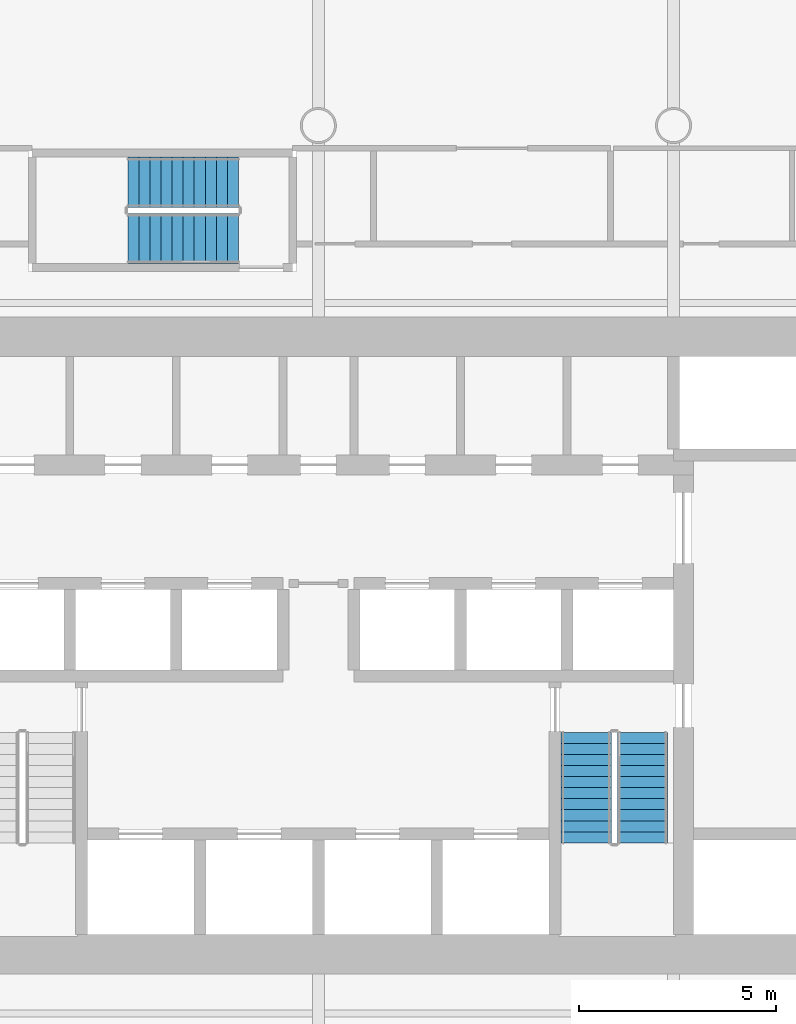
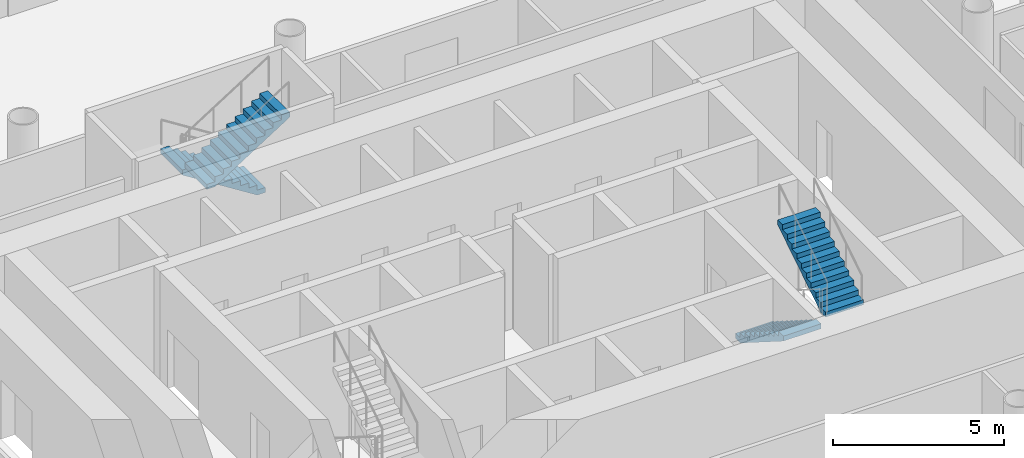
# One storey, part 20 of 25: 4 stair flights, 2 elements without a shape of their own.
"""IFC4 building model written with IfcOpenShell, lengths in metres."""

from ifc_helpers import new_model, si_unit, direction, frame, origin, place, context, subcontext, project, spatial, polyline, outline, extrude, material, type_object, element, aggregate, save


model = new_model("IFC4")

# Units and contexts
model_context = context("Model", 3, precision=1e-05, world=origin(), true_north=direction((0.0, 1.0)))
body_context = subcontext(model_context, "Body", "Model", "MODEL_VIEW")
ifc_project = project(units=[si_unit("LENGTHUNIT", "METRE"), si_unit("AREAUNIT", "SQUARE_METRE"), si_unit("VOLUMEUNIT", "CUBIC_METRE"), si_unit("PLANEANGLEUNIT", "RADIAN"), si_unit("MASSUNIT", "GRAM", prefix="KILO")], contexts=[model_context])

# Site, building, storey
site_placement = place(None, origin())
site = spatial("IfcSite", under=ifc_project, at=site_placement, CompositionType="ELEMENT")
building_placement = place(site_placement, origin())
building = spatial("IfcBuilding", under=site, at=building_placement, Name="Tskaro Facet Tower", CompositionType="ELEMENT")
storey_placement = place(building_placement, frame((0.0, 0.0, 34.199951171875)))
storey = spatial("IfcBuildingStorey", under=building, at=storey_placement, Name="L07", CompositionType="ELEMENT", Elevation=34.199951171875)

# Stair, stair flights
ifc_material = material(Name="Concrete C40/50", Category="concrete")
stair_type = type_object("IfcStairType", Name="ST-TWR", PredefinedType="HALF_TURN_STAIR", material=ifc_material)
stair_1_placement = place(storey_placement, origin())
stair_1 = element("IfcStair", 1, at=stair_1_placement, inside=storey, type_object=stair_type, Name="L07 Exit stair 2", PredefinedType="HALF_TURN_STAIR")
stair_flight_type = type_object("IfcStairFlightType", Name="SFL-RC", PredefinedType="STRAIGHT", material=ifc_material)
stair_flight_1_placement = place(storey_placement, frame((6.78759765625, -6.375, 0.0), z_axis=(0.0, 0.0, 1.0), x_axis=(0.0, -1.0, 0.0)))
stair_flight_1 = element("IfcStairFlight", 2, at=stair_flight_1_placement, type_object=stair_flight_type, Name="ST-2 flight 1", NumberOfRisers=11, NumberOfTreads=10, PredefinedType="STRAIGHT", RiserHeight=0.177272727, TreadLength=0.28, context=body_context, shape_type="SweptSolid", body=[
    extrude(outline(polyline([(0.0, 0.0), (0.0, 0.17724609375), (0.280029296875, 0.17724609375), (0.280029296875, 0.3544921875), (0.56005859375, 0.3544921875), (0.56005859375, 0.53173828125), (0.840087890625, 0.53173828125), (0.840087890625, 0.708984375), (1.1201171875, 0.708984375), (1.1201171875, 0.886474609375), (1.39990234375, 0.886474609375), (1.39990234375, 1.063720703125), (1.679931640625, 1.063720703125), (1.679931640625, 1.240966796875), (1.9599609375, 1.240966796875), (1.9599609375, 1.418212890625), (2.239990234375, 1.418212890625), (2.239990234375, 1.595458984375), (2.52001953125, 1.595458984375), (2.52001953125, 1.772705078125), (2.800048828125, 1.772705078125), (2.800048828125, 1.949951171875), (2.800048828125, 1.59521484375), (0.2802734375, 0.0), (0.0, 0.0)])), frame((0.0, 0.637451171875, 0.0), z_axis=(0.0, -1.0, 0.0), x_axis=(1.0, 0.0, 0.0)), (0.0, 0.0, 1.0), 1.27490234375),
])
stair_flight_2_placement = place(storey_placement, frame((8.21240234375, -9.175048828125, 1.949951171875), z_axis=(0.0, 0.0, 1.0), x_axis=(0.0, 1.0, 0.0)))
stair_flight_2 = element("IfcStairFlight", 3, at=stair_flight_2_placement, type_object=stair_flight_type, Name="ST-2 flight 2", NumberOfRisers=11, NumberOfTreads=10, PredefinedType="STRAIGHT", RiserHeight=0.177272727, TreadLength=0.28, context=body_context, shape_type="SweptSolid", body=[
    extrude(outline(polyline([(0.0, 0.0), (0.0, 0.17724609375), (0.280029296875, 0.17724609375), (0.280029296875, 0.3544921875), (0.56005859375, 0.3544921875), (0.56005859375, 0.53173828125), (0.840087890625, 0.53173828125), (0.840087890625, 0.708984375), (1.1201171875, 0.708984375), (1.1201171875, 0.886474609375), (1.39990234375, 0.886474609375), (1.39990234375, 1.063720703125), (1.679931640625, 1.063720703125), (1.679931640625, 1.240966796875), (1.9599609375, 1.240966796875), (1.9599609375, 1.418212890625), (2.239990234375, 1.418212890625), (2.239990234375, 1.595458984375), (2.52001953125, 1.595458984375), (2.52001953125, 1.772705078125), (2.800048828125, 1.772705078125), (2.800048828125, 1.949951171875), (2.800048828125, 1.59521484375), (0.2802734375, 0.0), (0.0, 0.0)])), frame((0.0, 0.637451171875, 0.0), z_axis=(0.0, -1.0, 0.0), x_axis=(1.0, 0.0, 0.0)), (0.0, 0.0, 1.0), 1.27490234375),
])
aggregate(stair_1, [stair_flight_1, stair_flight_2])

stair_2_placement = place(storey_placement, origin())
stair_2 = element("IfcStair", 4, at=stair_2_placement, inside=storey, type_object=stair_type, Name="L07 Exit stair 3", PredefinedType="HALF_TURN_STAIR")
stair_flight_3_placement = place(storey_placement, frame((-2.02490234375, 7.5625, 0.0), z_axis=(0.0, 0.0, 1.0), x_axis=(-1.0, 0.0, 0.0)))
stair_flight_3 = element("IfcStairFlight", 5, at=stair_flight_3_placement, type_object=stair_flight_type, Name="ST-3 flight 1", NumberOfRisers=11, NumberOfTreads=10, PredefinedType="STRAIGHT", RiserHeight=0.177272727, TreadLength=0.28, context=body_context, shape_type="SweptSolid", body=[
    extrude(outline(polyline([(0.0, 0.0), (0.0, 0.17724609375), (0.280029296875, 0.17724609375), (0.280029296875, 0.3544921875), (0.56005859375, 0.3544921875), (0.56005859375, 0.53173828125), (0.840087890625, 0.53173828125), (0.840087890625, 0.708984375), (1.1201171875, 0.708984375), (1.1201171875, 0.886474609375), (1.39990234375, 0.886474609375), (1.39990234375, 1.063720703125), (1.679931640625, 1.063720703125), (1.679931640625, 1.240966796875), (1.9599609375, 1.240966796875), (1.9599609375, 1.418212890625), (2.239990234375, 1.418212890625), (2.239990234375, 1.595458984375), (2.52001953125, 1.595458984375), (2.52001953125, 1.772705078125), (2.800048828125, 1.772705078125), (2.800048828125, 1.949951171875), (2.800048828125, 1.59521484375), (0.2802734375, 0.0), (0.0, 0.0)])), frame((0.0, 0.637451171875, 0.0), z_axis=(0.0, -1.0, 0.0), x_axis=(1.0, 0.0, 0.0)), (0.0, 0.0, 1.0), 1.27490234375),
])
stair_flight_4_placement = place(storey_placement, frame((-4.824951171875, 6.137451171875, 1.949951171875), z_axis=(0.0, 0.0, 1.0), x_axis=(1.0, 0.0, 0.0)))
stair_flight_4 = element("IfcStairFlight", 6, at=stair_flight_4_placement, type_object=stair_flight_type, Name="ST-3 flight 2", NumberOfRisers=11, NumberOfTreads=10, PredefinedType="STRAIGHT", RiserHeight=0.177272727, TreadLength=0.28, context=body_context, shape_type="SweptSolid", body=[
    extrude(outline(polyline([(0.0, 0.0), (0.0, 0.17724609375), (0.280029296875, 0.17724609375), (0.280029296875, 0.3544921875), (0.56005859375, 0.3544921875), (0.56005859375, 0.53173828125), (0.840087890625, 0.53173828125), (0.840087890625, 0.708984375), (1.1201171875, 0.708984375), (1.1201171875, 0.886474609375), (1.39990234375, 0.886474609375), (1.39990234375, 1.063720703125), (1.679931640625, 1.063720703125), (1.679931640625, 1.240966796875), (1.9599609375, 1.240966796875), (1.9599609375, 1.418212890625), (2.239990234375, 1.418212890625), (2.239990234375, 1.595458984375), (2.52001953125, 1.595458984375), (2.52001953125, 1.772705078125), (2.800048828125, 1.772705078125), (2.800048828125, 1.949951171875), (2.800048828125, 1.59521484375), (0.2802734375, 0.0), (0.0, 0.0)])), frame((0.0, 0.637451171875, 0.0), z_axis=(0.0, -1.0, 0.0), x_axis=(1.0, 0.0, 0.0)), (0.0, 0.0, 1.0), 1.27490234375),
])
aggregate(stair_2, [stair_flight_3, stair_flight_4])

save(model, "model.ifc")
